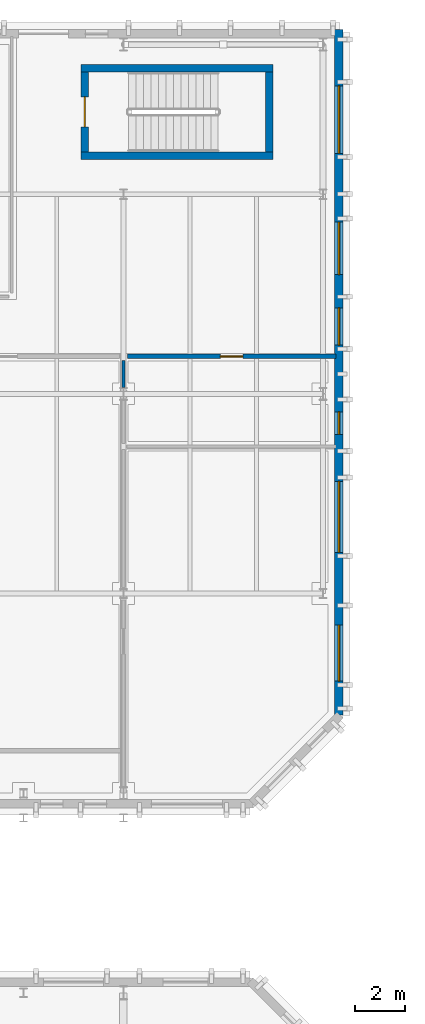
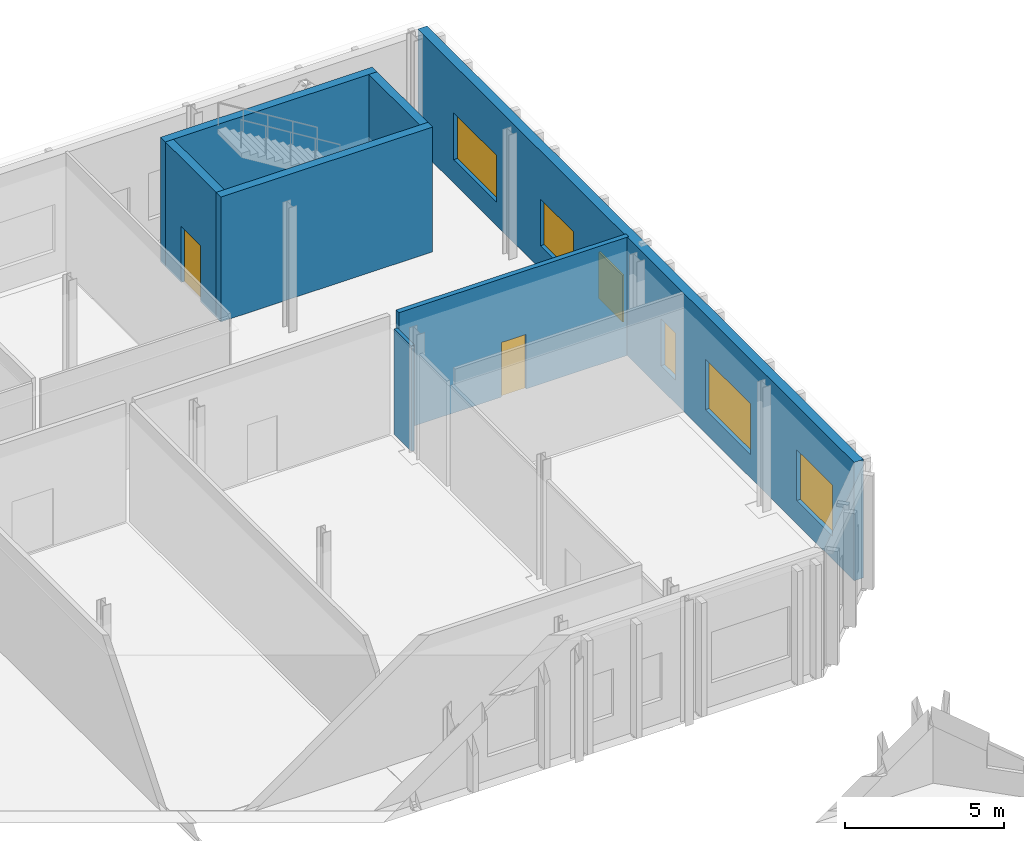
# One storey, part 31 of 60: 7 walls, 6 windows, 2 doors, 8 openings.
"""IFC4 building model written with IfcOpenShell, lengths in metres."""

import ifcopenshell
import ifcopenshell.guid

model = None  # the IFC model being written
_history = None  # IfcOwnerHistory: only IFC2X3 demands one
_inside = {}  # id of a spatial element -> (the spatial element, [elements in it])
_under = {}  # id of a project, library or spatial element -> (it, [spatial elements below it])
_declared = {}  # id of a project -> (the project, [libraries it declares])
_typed = {}  # id of a type object -> (the type object, [elements of that type])
_made_of = {}  # id of a material, layer set ... -> (it, [elements and type objects made of it])


def new_model(schema):
    """Start an empty IFC model of exactly this schema.

    Asked for "IFC4X3", IfcOpenShell would pick the latest addendum, in which some entities
    have other attributes; the version numbers below select the first issue.
    IFC2X3 requires an IfcOwnerHistory on every rooted entity: one is made here for all.
    """
    global model, _history
    if schema == "IFC4X3":
        model = ifcopenshell.file(schema_version=(4, 3, 0, 0))
    else:
        model = ifcopenshell.file(schema=schema)
    _inside.clear()
    _under.clear()
    _declared.clear()
    _typed.clear()
    _made_of.clear()
    _history = None
    if model.schema == "IFC2X3":
        org = make("IfcOrganization", Name="unknown")
        user = make(
            "IfcPersonAndOrganization",
            ThePerson=make("IfcPerson", FamilyName="unknown"),
            TheOrganization=org,
        )
        app = make(
            "IfcApplication",
            ApplicationDeveloper=org,
            Version="unknown",
            ApplicationFullName="unknown",
            ApplicationIdentifier="unknown",
        )
        _history = make(
            "IfcOwnerHistory",
            OwningUser=user,
            OwningApplication=app,
            ChangeAction="ADDED",
            CreationDate=0,
        )
    return model


def make(cls, **values):
    """One entity of the class cls with the attributes given. An attribute that is None is left unset."""
    return model.create_entity(
        cls, **{name: value for name, value in values.items() if value is not None}
    )


def rooted(cls, **values):
    """An entity with a GlobalId (a new one), such as an element, a storey or a relation."""
    return make(cls, GlobalId=ifcopenshell.guid.new(), OwnerHistory=_history, **values)


def si_unit(unit_type, name, prefix=None):
    """IfcSIUnit, for example si_unit("LENGTHUNIT", "METRE", prefix="MILLI")."""
    return make("IfcSIUnit", UnitType=unit_type, Prefix=prefix, Name=name)


def assignment(units):
    """IfcUnitAssignment: the units of a project."""
    return None if units is None else make("IfcUnitAssignment", Units=units)


def point(xyz):
    """IfcCartesianPoint."""
    return None if xyz is None else make("IfcCartesianPoint", Coordinates=xyz)


def direction(xyz):
    """IfcDirection."""
    return None if xyz is None else make("IfcDirection", DirectionRatios=xyz)


def frame(location, z_axis=None, x_axis=None):
    """IfcAxis2Placement3D, a coordinate frame: its origin and axes. An axis left out is left unset."""
    return make(
        "IfcAxis2Placement3D",
        Location=point(location),
        Axis=direction(z_axis),
        RefDirection=direction(x_axis),
    )


def frame_2d(location, x_axis=None):
    """IfcAxis2Placement2D, a coordinate frame in the plane: its origin and x axis."""
    return make(
        "IfcAxis2Placement2D", Location=point(location), RefDirection=direction(x_axis)
    )


def origin():
    """The frame at (0, 0, 0) with its axes left unset."""
    return frame((0.0, 0.0, 0.0))


def place(relative_to, where):
    """IfcLocalPlacement: puts the frame where relative to a parent placement (None: the world)."""
    return make(
        "IfcLocalPlacement", PlacementRelTo=relative_to, RelativePlacement=where
    )


def context(
    kind, dimensions, precision=None, world=None, true_north=None, identifier=None
):
    """IfcGeometricRepresentationContext, for example the 3D "Model" context."""
    return make(
        "IfcGeometricRepresentationContext",
        ContextIdentifier=identifier,
        ContextType=kind,
        CoordinateSpaceDimension=dimensions,
        Precision=precision,
        WorldCoordinateSystem=world,
        TrueNorth=true_north,
    )


def subcontext(parent, identifier, kind, view, scale=None):
    """IfcGeometricRepresentationSubContext, for example "Body" below "Model"."""
    return make(
        "IfcGeometricRepresentationSubContext",
        ContextIdentifier=identifier,
        ContextType=kind,
        ParentContext=parent,
        TargetScale=scale,
        TargetView=view,
    )


def project(units=None, contexts=None):
    """IfcProject with its units and contexts."""
    return rooted(
        "IfcProject",
        Name="project",
        RepresentationContexts=contexts,
        UnitsInContext=assignment(units),
    )


def spatial(cls, under=None, at=None, **own):
    """A site, building, storey or space (cls), placed at a placement, below another one or the project."""
    s = rooted(cls, ObjectPlacement=at, **own)
    if under is not None:
        _under.setdefault(under.id(), (under, []))[1].append(s)
    return s


def profile(cls, at=None, kind="AREA", **sizes):
    """A parametric profile (cls). Its sizes go by their IFC names, for example OverallWidth=200.0."""
    return make(cls, ProfileType=kind, Position=at, **sizes)


def rectangle(**sizes):
    """IfcRectangleProfileDef."""
    return profile("IfcRectangleProfileDef", **sizes)


def extrude(swept, where, along, depth):
    """IfcExtrudedAreaSolid: the profile swept, set in the frame where, extruded along a direction by depth."""
    return make(
        "IfcExtrudedAreaSolid",
        SweptArea=swept,
        Position=where,
        ExtrudedDirection=direction(along),
        Depth=depth,
    )


def shape(context_of_items, identifier, shape_type, items):
    """IfcShapeRepresentation: the items that make up one representation, for example the "Body"."""
    return make(
        "IfcShapeRepresentation",
        ContextOfItems=context_of_items,
        RepresentationIdentifier=identifier,
        RepresentationType=shape_type,
        Items=items,
    )


def material(Name=None, Category=None):
    """IfcMaterial."""
    return make("IfcMaterial", Name=Name, Category=Category)


def layer(
    of_material, thickness, ventilated=None, Name=None, Category=None, Priority=None
):
    """IfcMaterialLayer: one layer of a wall or slab, of a material (None: an air gap)."""
    return make(
        "IfcMaterialLayer",
        Material=of_material,
        LayerThickness=thickness,
        IsVentilated=ventilated,
        Name=Name,
        Category=Category,
        Priority=Priority,
    )


def layer_set(layers, Name=None):
    """IfcMaterialLayerSet."""
    return make("IfcMaterialLayerSet", MaterialLayers=layers, LayerSetName=Name)


def made_of(thing, what):
    """Note that an element or type object is made of a material, layer set ...; save() writes the relation."""
    if what is not None:
        _made_of.setdefault(what.id(), (what, []))[1].append(thing)
    return thing


def type_object(cls, material=None, **own):
    """A type object (cls), such as IfcWallType, which elements share."""
    return made_of(rooted(cls, **own), material)


def element(
    cls,
    number,
    at=None,
    inside=None,
    cuts=None,
    type_object=None,
    material=None,
    context=None,
    identifier="Body",
    shape_type=None,
    held_by="IfcProductDefinitionShape",
    body=None,
    shapes=None,
    **own,
):
    """One element of the class cls, such as IfcWall. Its Tag is "e" and its number.

    at: its placement. inside: the storey or other place that contains it. cuts: it is an
    opening in that element (IfcRelVoidsElement). A single representation is given by context,
    identifier, shape_type and body (its items); several are given by shapes. held_by: the class
    of the entity that holds the representations. save() writes the other relations.
    """
    e = rooted(cls, Tag="e%d" % number, ObjectPlacement=at, **own)
    if body is not None:
        shapes = [shape(context, identifier, shape_type, body)]
    if shapes is not None:
        e.Representation = make(held_by, Representations=shapes)
    if inside is not None:
        _inside.setdefault(inside.id(), (inside, []))[1].append(e)
    if cuts is not None:
        rooted(
            "IfcRelVoidsElement", RelatingBuildingElement=cuts, RelatedOpeningElement=e
        )
    if type_object is not None:
        _typed.setdefault(type_object.id(), (type_object, []))[1].append(e)
    return made_of(e, material)


def fill(opening, filler):
    """IfcRelFillsElement: the door or window that sits in an opening."""
    return rooted(
        "IfcRelFillsElement",
        RelatingOpeningElement=opening,
        RelatedBuildingElement=filler,
    )


def aggregate(whole, parts):
    """IfcRelAggregates: a whole, such as a stair, and the parts it consists of."""
    return rooted("IfcRelAggregates", RelatingObject=whole, RelatedObjects=parts)


def save(model, path):
    """Write the relations noted so far, then the file.

    IfcRelAggregates (storeys below a building ...), IfcRelContainedInSpatialStructure (elements
    in a storey), IfcRelDefinesByType, IfcRelAssociatesMaterial and IfcRelDeclares: one each for
    every whole, place, type object, material and project.
    """
    for whole, parts in _under.values():
        aggregate(whole, parts)
    for where, things in _inside.values():
        rooted(
            "IfcRelContainedInSpatialStructure",
            RelatedElements=things,
            RelatingStructure=where,
        )
    for kind, things in _typed.values():
        rooted("IfcRelDefinesByType", RelatedObjects=things, RelatingType=kind)
    for what, things in _made_of.values():
        rooted("IfcRelAssociatesMaterial", RelatedObjects=things, RelatingMaterial=what)
    for by, libraries in _declared.values():
        rooted("IfcRelDeclares", RelatingContext=by, RelatedDefinitions=libraries)
    model.write(path)


model = new_model("IFC4")

# Units and contexts
model_context = context("Model", 3, precision=1e-05, world=origin(), true_north=direction((0.0, 1.0)))
body_context = subcontext(model_context, "Body", "Model", "MODEL_VIEW")
ifc_project = project(units=[si_unit("LENGTHUNIT", "METRE"), si_unit("AREAUNIT", "SQUARE_METRE"), si_unit("VOLUMEUNIT", "CUBIC_METRE"), si_unit("PLANEANGLEUNIT", "RADIAN"), si_unit("MASSUNIT", "GRAM", prefix="KILO")], contexts=[model_context])

# Site, building, storey
site_placement = place(None, origin())
site = spatial("IfcSite", under=ifc_project, at=site_placement, CompositionType="ELEMENT")
building_placement = place(site_placement, origin())
building = spatial("IfcBuilding", under=site, at=building_placement, Name="Cymarion Research Institute", CompositionType="ELEMENT")
storey_placement = place(building_placement, origin())
storey = spatial("IfcBuildingStorey", under=building, at=storey_placement, Name="L00", CompositionType="ELEMENT", Elevation=0.0)

# Wall, openings, windows
ifc_material_1 = material(Name="Precast concrete C40/50", Category="concrete")
ifc_layer_1 = layer(ifc_material_1, 0.340087890625)
ifc_layer_set_1 = layer_set([ifc_layer_1], Name="Precast concrete C40/50")
wall_type_1 = type_object("IfcWallType", Name="EXTERIOR WALL EW-PC340 340MM", PredefinedType="SOLIDWALL", material=ifc_layer_set_1)
wall_1_placement = place(storey_placement, frame((47.22998046875, 88.622802734375, 0.0), z_axis=(0.0, 0.0, 1.0), x_axis=(0.0, 1.0, 0.0)))
wall_1 = element("IfcWall", 1, at=wall_1_placement, inside=storey, type_object=wall_type_1, Name="L00 V5 exterior wall EW-PC340 #72", PredefinedType="SOLIDWALL", context=body_context, shape_type="SweptSolid", body=[
    extrude(rectangle(XDim=27.477294921875, YDim=0.340087890625, at=frame_2d((13.73876953125, 0.0))), origin(), (0.0, 0.0, 1.0), 4.550048828125),
])
opening_1_placement = place(wall_1_placement, frame((1.364013671875, 0.0, 0.89990234375)))
opening_1 = element("IfcOpeningElement", 2, at=opening_1_placement, cuts=wall_1, Name="Opening W30", PredefinedType="OPENING", context=body_context, shape_type="SweptSolid", body=[
    extrude(rectangle(XDim=2.25, YDim=1.949951171875, at=frame_2d((1.125, 0.97509765625))), frame((0.0, 0.179931640625, 0.0), z_axis=(0.0, -1.0, 0.0), x_axis=(1.0, 0.0, 0.0)), (0.0, 0.0, 1.0), 0.360107421875),
])
opening_2_placement = place(wall_1_placement, frame((6.52197265625, 0.0, 0.89990234375)))
opening_2 = element("IfcOpeningElement", 3, at=opening_2_placement, cuts=wall_1, Name="Opening W32", PredefinedType="OPENING", context=body_context, shape_type="SweptSolid", body=[
    extrude(rectangle(XDim=2.85009765625, YDim=1.949951171875, at=frame_2d((1.425048828125, 0.97509765625))), frame((0.0, 0.179931640625, 0.0), z_axis=(0.0, -1.0, 0.0), x_axis=(1.0, 0.0, 0.0)), (0.0, 0.0, 1.0), 0.360107421875),
])
opening_3_placement = place(wall_1_placement, frame((11.257080078125, 0.0, 0.89990234375)))
opening_3 = element("IfcOpeningElement", 4, at=opening_3_placement, cuts=wall_1, Name="Opening W24", PredefinedType="OPENING", context=body_context, shape_type="SweptSolid", body=[
    extrude(rectangle(XDim=0.89990234375, YDim=1.800048828125, at=frame_2d((0.449951171875, 0.89990234375))), frame((0.0, 0.179931640625, 0.0), z_axis=(0.0, -1.0, 0.0), x_axis=(1.0, 0.0, 0.0)), (0.0, 0.0, 1.0), 0.360107421875),
])
opening_4_placement = place(wall_1_placement, frame((14.826904296875, 0.0, 0.89990234375)))
opening_4 = element("IfcOpeningElement", 5, at=opening_4_placement, cuts=wall_1, Name="Opening W02", PredefinedType="OPENING", context=body_context, shape_type="SweptSolid", body=[
    extrude(rectangle(XDim=1.5, YDim=1.800048828125, at=frame_2d((0.75, 0.89990234375))), frame((0.0, 0.179931640625, 0.0), z_axis=(0.0, -1.0, 0.0), x_axis=(1.0, 0.0, 0.0)), (0.0, 0.0, 1.0), 0.360107421875),
])
opening_5_placement = place(wall_1_placement, frame((17.656982421875, 0.0, 0.89990234375)))
opening_5 = element("IfcOpeningElement", 6, at=opening_5_placement, cuts=wall_1, Name="Opening W04", PredefinedType="OPENING", context=body_context, shape_type="SweptSolid", body=[
    extrude(rectangle(XDim=2.10009765625, YDim=1.800048828125, at=frame_2d((1.050048828125, 0.89990234375))), frame((0.0, 0.179931640625, 0.0), z_axis=(0.0, -1.0, 0.0), x_axis=(1.0, 0.0, 0.0)), (0.0, 0.0, 1.0), 0.360107421875),
])
opening_6_placement = place(wall_1_placement, frame((22.51708984375, 0.0, 0.89990234375)))
opening_6 = element("IfcOpeningElement", 7, at=opening_6_placement, cuts=wall_1, Name="Opening W06", PredefinedType="OPENING", context=body_context, shape_type="SweptSolid", body=[
    extrude(rectangle(XDim=2.699951171875, YDim=1.800048828125, at=frame_2d((1.35009765625, 0.89990234375))), frame((0.0, 0.179931640625, 0.0), z_axis=(0.0, -1.0, 0.0), x_axis=(1.0, 0.0, 0.0)), (0.0, 0.0, 1.0), 0.360107421875),
])
ifc_material_2 = material(Name="Thermally broken aluminium window with Low-E glazing", Category="aluminium")
window_type_1 = type_object("IfcWindowType", Name="THERMALLY BROKEN ALUMINIUM WINDOW W02 1500X1800", PartitioningType="DOUBLE_PANEL_VERTICAL", PredefinedType="WINDOW", material=ifc_material_2)
window_1_placement = place(opening_4_placement, origin())
window_1 = element("IfcWindow", 8, at=window_1_placement, inside=storey, type_object=window_type_1, Name="L00 V5 facade window W02 #132", OverallHeight=1.800048828125, OverallWidth=1.5, PartitioningType="SINGLE_PANEL", PredefinedType="WINDOW", context=body_context, shape_type="SweptSolid", body=[
    extrude(rectangle(XDim=1.5, YDim=1.800048828125, at=frame_2d((0.75, 0.89990234375))), frame((0.0, 0.030029296875, 0.0), z_axis=(0.0, -1.0, 0.0), x_axis=(1.0, 0.0, 0.0)), (0.0, 0.0, 1.0), 0.06005859375),
])
fill(opening_4, window_1)
window_type_2 = type_object("IfcWindowType", Name="THERMALLY BROKEN ALUMINIUM WINDOW W04 2100X1800", PartitioningType="DOUBLE_PANEL_VERTICAL", PredefinedType="WINDOW", material=ifc_material_2)
window_2_placement = place(opening_5_placement, origin())
window_2 = element("IfcWindow", 9, at=window_2_placement, inside=storey, type_object=window_type_2, Name="L00 V5 facade window W04 #133", OverallHeight=1.800048828125, OverallWidth=2.10009765625, PartitioningType="SINGLE_PANEL", PredefinedType="WINDOW", context=body_context, shape_type="SweptSolid", body=[
    extrude(rectangle(XDim=2.10009765625, YDim=1.800048828125, at=frame_2d((1.050048828125, 0.89990234375))), frame((0.0, 0.030029296875, 0.0), z_axis=(0.0, -1.0, 0.0), x_axis=(1.0, 0.0, 0.0)), (0.0, 0.0, 1.0), 0.06005859375),
])
fill(opening_5, window_2)
window_type_3 = type_object("IfcWindowType", Name="THERMALLY BROKEN ALUMINIUM WINDOW W06 2700X1800", PartitioningType="TRIPLE_PANEL_VERTICAL", PredefinedType="WINDOW", material=ifc_material_2)
window_3_placement = place(opening_6_placement, origin())
window_3 = element("IfcWindow", 10, at=window_3_placement, inside=storey, type_object=window_type_3, Name="L00 V5 facade window W06 #134", OverallHeight=1.800048828125, OverallWidth=2.699951171875, PartitioningType="SINGLE_PANEL", PredefinedType="WINDOW", context=body_context, shape_type="SweptSolid", body=[
    extrude(rectangle(XDim=2.699951171875, YDim=1.800048828125, at=frame_2d((1.35009765625, 0.89990234375))), frame((0.0, 0.030029296875, 0.0), z_axis=(0.0, -1.0, 0.0), x_axis=(1.0, 0.0, 0.0)), (0.0, 0.0, 1.0), 0.06005859375),
])
fill(opening_6, window_3)
window_type_4 = type_object("IfcWindowType", Name="THERMALLY BROKEN ALUMINIUM WINDOW W24 900X1800", PartitioningType="SINGLE_PANEL", PredefinedType="WINDOW", material=ifc_material_2)
window_4_placement = place(opening_3_placement, origin())
window_4 = element("IfcWindow", 11, at=window_4_placement, inside=storey, type_object=window_type_4, Name="L00 V5 facade window W24 #131", OverallHeight=1.800048828125, OverallWidth=0.89990234375, PartitioningType="SINGLE_PANEL", PredefinedType="WINDOW", context=body_context, shape_type="SweptSolid", body=[
    extrude(rectangle(XDim=0.89990234375, YDim=1.800048828125, at=frame_2d((0.449951171875, 0.89990234375))), frame((0.0, 0.030029296875, 0.0), z_axis=(0.0, -1.0, 0.0), x_axis=(1.0, 0.0, 0.0)), (0.0, 0.0, 1.0), 0.06005859375),
])
fill(opening_3, window_4)
window_type_5 = type_object("IfcWindowType", Name="THERMALLY BROKEN ALUMINIUM WINDOW W30 2250X1950", PartitioningType="DOUBLE_PANEL_VERTICAL", PredefinedType="WINDOW", material=ifc_material_2)
window_5_placement = place(opening_1_placement, origin())
window_5 = element("IfcWindow", 12, at=window_5_placement, inside=storey, type_object=window_type_5, Name="L00 V5 facade window W30 #129", OverallHeight=1.949951171875, OverallWidth=2.25, PartitioningType="SINGLE_PANEL", PredefinedType="WINDOW", context=body_context, shape_type="SweptSolid", body=[
    extrude(rectangle(XDim=2.25, YDim=1.949951171875, at=frame_2d((1.125, 0.97509765625))), frame((0.0, 0.030029296875, 0.0), z_axis=(0.0, -1.0, 0.0), x_axis=(1.0, 0.0, 0.0)), (0.0, 0.0, 1.0), 0.06005859375),
])
fill(opening_1, window_5)
window_type_6 = type_object("IfcWindowType", Name="THERMALLY BROKEN ALUMINIUM WINDOW W32 2850X1950", PartitioningType="TRIPLE_PANEL_VERTICAL", PredefinedType="WINDOW", material=ifc_material_2)
window_6_placement = place(opening_2_placement, origin())
window_6 = element("IfcWindow", 13, at=window_6_placement, inside=storey, type_object=window_type_6, Name="L00 V5 facade window W32 #130", OverallHeight=1.949951171875, OverallWidth=2.85009765625, PartitioningType="SINGLE_PANEL", PredefinedType="WINDOW", context=body_context, shape_type="SweptSolid", body=[
    extrude(rectangle(XDim=2.85009765625, YDim=1.949951171875, at=frame_2d((1.425048828125, 0.97509765625))), frame((0.0, 0.030029296875, 0.0), z_axis=(0.0, -1.0, 0.0), x_axis=(1.0, 0.0, 0.0)), (0.0, 0.0, 1.0), 0.06005859375),
])
fill(opening_2, window_6)

# Wall, opening, door
ifc_material_3 = material(Name="Moisture-resistant laboratory partition", Category="gypsum")
ifc_layer_2 = layer(ifc_material_3, 0.179931640625)
ifc_layer_set_2 = layer_set([ifc_layer_2], Name="Moisture-resistant laboratory partition")
wall_type_2 = type_object("IfcWallType", Name="INTERIOR PARTITION IW-LB180 180MM", PredefinedType="PARTITIONING", material=ifc_layer_set_2)
wall_2_placement = place(storey_placement, frame((38.760009765625, 103.0, 0.0), z_axis=(0.0, 0.0, 1.0), x_axis=(1.0, 0.0, 0.0)))
wall_2 = element("IfcWall", 14, at=wall_2_placement, inside=storey, type_object=wall_type_2, Name="L00 V5 interior partition IW-LB180 #103", PredefinedType="PARTITIONING", context=body_context, shape_type="SweptSolid", body=[
    extrude(rectangle(XDim=8.35498046875, YDim=0.179931640625, at=frame_2d((4.177490234375, 0.0))), origin(), (0.0, 0.0, 1.0), 4.550048828125),
])
opening_7_placement = place(wall_2_placement, frame((3.72802734375, 0.0, 0.0)))
opening_7 = element("IfcOpeningElement", 15, at=opening_7_placement, cuts=wall_2, Name="Opening D-L00-067", PredefinedType="OPENING", context=body_context, shape_type="SweptSolid", body=[
    extrude(rectangle(XDim=0.89990234375, YDim=2.10009765625, at=frame_2d((0.449951171875, 1.050048828125))), frame((0.0, 0.099853515625, 0.0), z_axis=(0.0, -1.0, 0.0), x_axis=(1.0, 0.0, 0.0)), (0.0, 0.0, 1.0), 0.199951171875),
])
ifc_material_4 = material(Name="Flush acoustic timber/steel door assembly", Category="steel")
door_type_1 = type_object("IfcDoorType", Name="ACCESSIBLE RESTROOM DOOR DT-WC090 900X2100", OperationType="NOTDEFINED", PredefinedType="DOOR", material=ifc_material_4)
door_1_placement = place(opening_7_placement, origin())
door_1 = element("IfcDoor", 16, at=door_1_placement, inside=storey, type_object=door_type_1, Name="L00 Restroom door D-L00-067", OperationType="SINGLE_SWING_RIGHT", OverallHeight=2.10009765625, OverallWidth=0.89990234375, PredefinedType="DOOR", context=body_context, shape_type="SweptSolid", body=[
    extrude(rectangle(XDim=0.89990234375, YDim=2.10009765625, at=frame_2d((0.449951171875, 1.050048828125))), frame((0.0, 0.02490234375, 0.0), z_axis=(0.0, -1.0, 0.0), x_axis=(1.0, 0.0, 0.0)), (0.0, 0.0, 1.0), 0.050048828125),
])
fill(opening_7, door_1)

# Walls
ifc_material_5 = material(Name="Service riser shaft wall", Category="gypsum")
ifc_layer_3 = layer(ifc_material_5, 0.1201171875)
ifc_layer_set_3 = layer_set([ifc_layer_3], Name="Service riser shaft wall")
wall_type_3 = type_object("IfcWallType", Name="INTERIOR PARTITION IW-SH120 120MM", PredefinedType="PARTITIONING", material=ifc_layer_set_3)
wall_3_placement = place(storey_placement, frame((38.60009765625, 101.75, 0.0), z_axis=(0.0, 0.0, 1.0), x_axis=(0.0, 1.0, 0.0)))
element("IfcWall", 17, at=wall_3_placement, inside=storey, type_object=wall_type_3, Name="L00 V5 interior partition IW-SH120 #100", PredefinedType="PARTITIONING", context=body_context, shape_type="SweptSolid", body=[
    extrude(rectangle(XDim=1.090087890625, YDim=0.1201171875, at=frame_2d((0.544921875, 0.0))), origin(), (0.0, 0.0, 1.0), 4.050048828125),
])
ifc_material_6 = material(Name="Concrete C40/50", Category="concrete")
ifc_layer_4 = layer(ifc_material_6, 0.300048828125)
ifc_layer_set_4 = layer_set([ifc_layer_4], Name="Concrete C40/50")
wall_type_4 = type_object("IfcWallType", Name="REINFORCED CONCRETE CORE WALL CW-SH300 300MM", PredefinedType="SHEAR", material=ifc_layer_set_4)
for number, where, z_axis, x_axis, name in (
    (18, (36.89990234375, 111.050048828125, 0.0), (0.0, 0.0, 1.0), (1.0, 0.0, 0.0), "L00 SHW-C10-L00 south core wall"),
    (19, (44.60009765625, 114.550048828125, 0.0), (0.0, 0.0, 1.0), (-1.0, 0.0, 0.0), "L00 SHW-C10-L00 north core wall"),
):
    element("IfcWall", number, at=place(storey_placement, frame(where, z_axis=z_axis, x_axis=x_axis)), inside=storey, type_object=wall_type_4, Name=name, PredefinedType="SHEAR", context=body_context, shape_type="SweptSolid", body=[
        extrude(rectangle(XDim=7.7001953125, YDim=0.300048828125, at=frame_2d((3.85009765625, 0.0))), origin(), (0.0, 0.0, 1.0), 4.800048828125),
    ])

# Wall, opening, door
wall_4_placement = place(storey_placement, frame((37.050048828125, 114.39990234375, 0.0), z_axis=(0.0, 0.0, 1.0), x_axis=(0.0, -1.0, 0.0)))
wall_4 = element("IfcWall", 20, at=wall_4_placement, inside=storey, type_object=wall_type_4, Name="L00 SHW-C10-L00 west core wall", PredefinedType="SHEAR", context=body_context, shape_type="SweptSolid", body=[
    extrude(rectangle(XDim=3.199951171875, YDim=0.300048828125, at=frame_2d((1.60009765625, 0.0))), origin(), (0.0, 0.0, 1.0), 4.800048828125),
])
opening_8_placement = place(wall_4_placement, frame((1.0, 0.0, 0.0)))
opening_8 = element("IfcOpeningElement", 21, at=opening_8_placement, cuts=wall_4, Name="Opening FD-L00-ST10", PredefinedType="OPENING", context=body_context, shape_type="SweptSolid", body=[
    extrude(rectangle(XDim=1.199951171875, YDim=2.14990234375, at=frame_2d((0.60009765625, 1.074951171875))), frame((0.0, 0.159912109375, 0.0), z_axis=(0.0, -1.0, 0.0), x_axis=(1.0, 0.0, 0.0)), (0.0, 0.0, 1.0), 0.320068359375),
])
ifc_material_7 = material(Name="Fire-rated insulated steel door assembly", Category="steel")
door_type_2 = type_object("IfcDoorType", Name="SMOKE PROOF STAIR FIRE DOOR DT-ST120 1200X2150", OperationType="NOTDEFINED", PredefinedType="DOOR", material=ifc_material_7)
door_2_placement = place(opening_8_placement, frame((1.199951171875, 0.0, 0.0), z_axis=(0.0, 0.0, 1.0), x_axis=(-1.0, 0.0, 0.0)))
door_2 = element("IfcDoor", 22, at=door_2_placement, inside=storey, type_object=door_type_2, Name="L00 ST10 smoke-proof stair door FD-L00-ST10", OperationType="SINGLE_SWING_LEFT", OverallHeight=2.14990234375, OverallWidth=1.199951171875, PredefinedType="DOOR", context=body_context, shape_type="SweptSolid", body=[
    extrude(rectangle(XDim=1.199951171875, YDim=2.14990234375, at=frame_2d((0.60009765625, 1.074951171875))), frame((0.0, 0.02490234375, 0.0), z_axis=(0.0, -1.0, 0.0), x_axis=(1.0, 0.0, 0.0)), (0.0, 0.0, 1.0), 0.050048828125),
])
fill(opening_8, door_2)

# Wall
wall_5_placement = place(storey_placement, frame((44.449951171875, 111.199951171875, 0.0), z_axis=(0.0, 0.0, 1.0), x_axis=(0.0, 1.0, 0.0)))
element("IfcWall", 23, at=wall_5_placement, inside=storey, type_object=wall_type_4, Name="L00 SHW-C10-L00 east core wall", PredefinedType="SHEAR", context=body_context, shape_type="SweptSolid", body=[
    extrude(rectangle(XDim=3.199951171875, YDim=0.300048828125, at=frame_2d((1.60009765625, 0.0))), origin(), (0.0, 0.0, 1.0), 4.800048828125),
])

save(model, "model.ifc")
